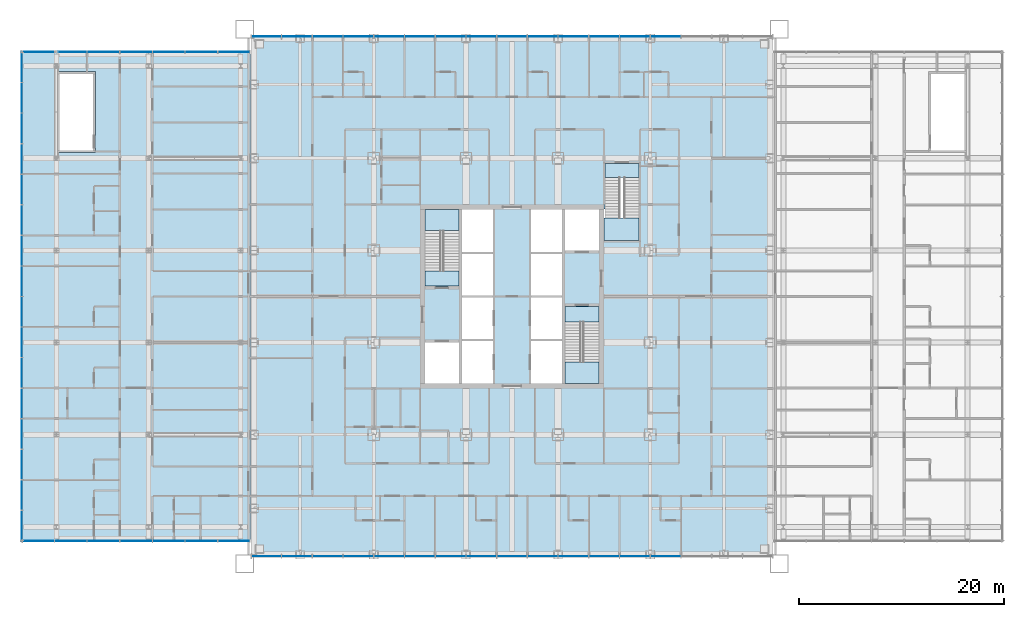
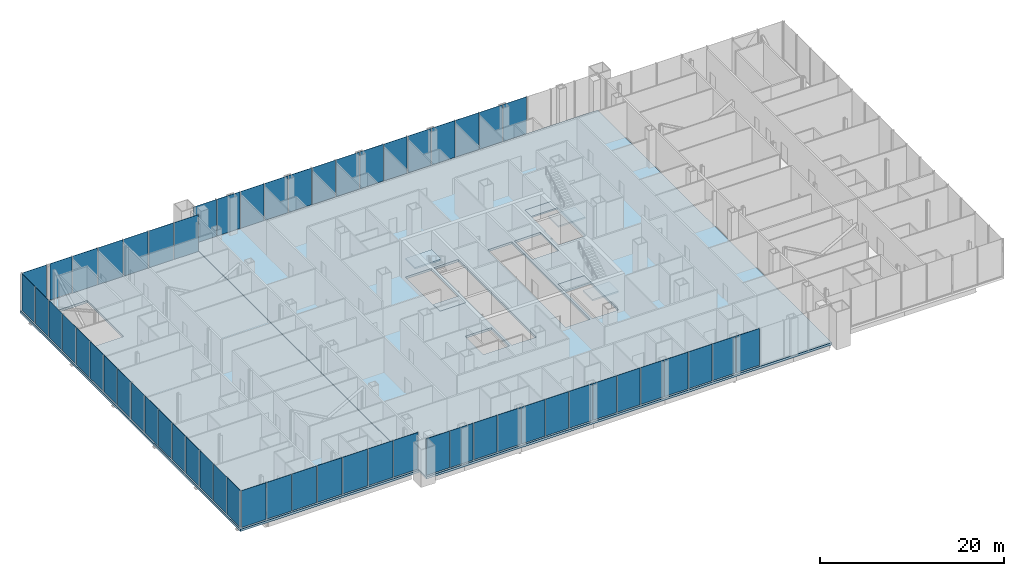
# One storey, part 13 of 28: 58 plates, 8 slabs, 8 elements without a shape of their own.
"""IFC4 building model written with IfcOpenShell, lengths in metres."""

from ifc_helpers import new_model, si_unit, direction, frame, origin, origin_2d, place, context, subcontext, project, spatial, polyline, rectangle, outline, extrude, material, layer, layer_set, type_object, element, aggregate, save


model = new_model("IFC4")

# Units and contexts
model_context = context("Model", 3, precision=1e-05, world=origin(), true_north=direction((0.0, 1.0)))
body_context = subcontext(model_context, "Body", "Model", "MODEL_VIEW")
ifc_project = project(units=[si_unit("LENGTHUNIT", "METRE"), si_unit("AREAUNIT", "SQUARE_METRE"), si_unit("VOLUMEUNIT", "CUBIC_METRE"), si_unit("PLANEANGLEUNIT", "RADIAN"), si_unit("MASSUNIT", "GRAM", prefix="KILO")], contexts=[model_context])

# Site, building, storey
site_placement = place(None, origin())
site = spatial("IfcSite", under=ifc_project, at=site_placement, CompositionType="ELEMENT")
building_placement = place(site_placement, origin())
building = spatial("IfcBuilding", under=site, at=building_placement, Name="Malebo Sky Hospital", CompositionType="ELEMENT")
storey_placement = place(building_placement, frame((0.0, 0.0, 21.0)))
storey = spatial("IfcBuildingStorey", under=building, at=storey_placement, Name="L04", CompositionType="ELEMENT", Elevation=21.0)

# Slabs
ifc_material_1 = material(Name="Concrete C40/50", Category="concrete")
ifc_layer_1 = layer(ifc_material_1, 0.300048828125)
ifc_layer_set_1 = layer_set([ifc_layer_1], Name="COMPOSITE FLOOR SLAB 300")
slab_type_1 = type_object("IfcSlabType", Name="COMPOSITE FLOOR SLAB 300", PredefinedType="FLOOR", material=ifc_layer_set_1)
slab_1_placement = place(storey_placement, frame((0.0, 0.0, -0.300048828125)))
element("IfcSlab", 1, at=slab_1_placement, inside=storey, type_object=slab_type_1, Name="Floor slab L04", PredefinedType="FLOOR", context=body_context, shape_type="SweptSolid", body=[
    extrude(outline(polyline([(34.5, 87.5), (34.5, 36.5), (85.5, 36.5), (85.5, 87.5), (34.5, 87.5)]), holes=[polyline([(55.10009765625, 70.5), (58.14990234375, 70.5), (58.14990234375, 53.5), (55.10009765625, 53.5), (55.10009765625, 70.5)]), polyline([(64.89990234375, 70.5), (64.89990234375, 53.5), (61.85009765625, 53.5), (61.85009765625, 70.5), (64.89990234375, 70.5)]), polyline([(54.800048828125, 63.0), (51.5, 63.0), (51.5, 70.5), (54.800048828125, 70.5), (54.800048828125, 63.0)]), polyline([(51.5, 53.5), (51.5, 57.5), (54.800048828125, 57.5), (54.800048828125, 53.5), (51.5, 53.5)]), polyline([(65.199951171875, 61.0), (68.5, 61.0), (68.5, 53.5), (65.199951171875, 53.5), (65.199951171875, 61.0)]), polyline([(68.5, 70.5), (68.5, 66.5), (65.199951171875, 66.5), (65.199951171875, 70.5), (68.5, 70.5)]), polyline([(69.0, 67.449951171875), (69.0, 70.52001953125), (69.10009765625, 70.52001953125), (69.10009765625, 75.0), (72.39990234375, 75.0), (72.39990234375, 67.449951171875), (69.10009765625, 67.449951171875), (69.0, 67.449951171875)])]), origin(), (0.0, 0.0, 1.0), 0.300048828125),
])
slab_2_placement = place(storey_placement, frame((0.0, 0.0, -0.300048828125)))
element("IfcSlab", 2, at=slab_2_placement, inside=storey, type_object=slab_type_1, Name="Floor slab L04 west wing", PredefinedType="FLOOR", context=body_context, shape_type="SweptSolid", body=[
    extrude(outline(polyline([(34.449951171875, 38.0), (34.449951171875, 86.0), (12.0, 86.0), (12.0, 38.0), (34.449951171875, 38.0)]), holes=[polyline([(19.300048828125, 76.050048828125), (15.60009765625, 76.050048828125), (15.60009765625, 83.949951171875), (19.300048828125, 83.949951171875), (19.300048828125, 76.050048828125)])]), origin(), (0.0, 0.0, 1.0), 0.300048828125),
])

# Stair, slabs
stair_type_1 = type_object("IfcStairType", Name="HALF-TURN STAIR 1500 R167", PredefinedType="HALF_TURN_STAIR", material=ifc_material_1)
stair_1_placement = place(storey_placement, origin())
stair_1 = element("IfcStair", 3, at=stair_1_placement, inside=storey, type_object=stair_type_1, Name="Stair S1 L04 type ST1", PredefinedType="HALF_TURN_STAIR")
ifc_layer_2 = layer(ifc_material_1, 0.199951171875)
ifc_layer_set_2 = layer_set([ifc_layer_2], Name="STAIR LANDING 200")
slab_type_2 = type_object("IfcSlabType", Name="STAIR LANDING 200", PredefinedType="LANDING", material=ifc_layer_set_2)
slab_3_placement = place(storey_placement, frame((0.0, 0.0, -0.199951171875)))
slab_3 = element("IfcSlab", 4, at=slab_3_placement, type_object=slab_type_2, Name="S1 landing 1", PredefinedType="LANDING", context=body_context, shape_type="SweptSolid", body=[
    extrude(outline(polyline([(51.5, 63.0), (54.800048828125, 63.0), (54.800048828125, 64.5), (51.5, 64.5), (51.5, 63.0)])), origin(), (0.0, 0.0, 1.0), 0.199951171875),
])
slab_4_placement = place(storey_placement, frame((0.0, 0.0, 2.300048828125)))
slab_4 = element("IfcSlab", 5, at=slab_4_placement, type_object=slab_type_2, Name="S1 landing 2", PredefinedType="LANDING", context=body_context, shape_type="SweptSolid", body=[
    extrude(outline(polyline([(51.5, 68.419921875), (54.800048828125, 68.419921875), (54.800048828125, 70.5), (51.5, 70.5), (51.5, 68.419921875)])), origin(), (0.0, 0.0, 1.0), 0.199951171875),
])
aggregate(stair_1, [slab_3, slab_4])

stair_2_placement = place(storey_placement, origin())
stair_2 = element("IfcStair", 6, at=stair_2_placement, inside=storey, type_object=stair_type_1, Name="Stair S2 L04 type ST1", PredefinedType="HALF_TURN_STAIR")
slab_5_placement = place(storey_placement, frame((0.0, 0.0, -0.199951171875)))
slab_5 = element("IfcSlab", 7, at=slab_5_placement, type_object=slab_type_2, Name="S2 landing 1", PredefinedType="LANDING", context=body_context, shape_type="SweptSolid", body=[
    extrude(outline(polyline([(65.199951171875, 59.5), (68.5, 59.5), (68.5, 61.0), (65.199951171875, 61.0), (65.199951171875, 59.5)])), origin(), (0.0, 0.0, 1.0), 0.199951171875),
])
slab_6_placement = place(storey_placement, frame((0.0, 0.0, 2.300048828125)))
slab_6 = element("IfcSlab", 8, at=slab_6_placement, type_object=slab_type_2, Name="S2 landing 2", PredefinedType="LANDING", context=body_context, shape_type="SweptSolid", body=[
    extrude(outline(polyline([(65.199951171875, 53.5), (68.5, 53.5), (68.5, 55.580078125), (65.199951171875, 55.580078125), (65.199951171875, 53.5)])), origin(), (0.0, 0.0, 1.0), 0.199951171875),
])
aggregate(stair_2, [slab_5, slab_6])

stair_type_2 = type_object("IfcStairType", Name="HALF-TURN STAIR 1400 R167", PredefinedType="HALF_TURN_STAIR", material=ifc_material_1)
stair_3_placement = place(storey_placement, origin())
stair_3 = element("IfcStair", 9, at=stair_3_placement, inside=storey, type_object=stair_type_2, Name="Stair S3 L04 type ST1B", PredefinedType="HALF_TURN_STAIR")
slab_7_placement = place(storey_placement, frame((0.0, 0.0, -0.199951171875)))
slab_7 = element("IfcSlab", 10, at=slab_7_placement, type_object=slab_type_2, Name="S3 landing 1", PredefinedType="LANDING", context=body_context, shape_type="SweptSolid", body=[
    extrude(outline(polyline([(69.10009765625, 73.60009765625), (72.39990234375, 73.60009765625), (72.39990234375, 75.0), (69.10009765625, 75.0), (69.10009765625, 73.60009765625)])), origin(), (0.0, 0.0, 1.0), 0.199951171875),
])
slab_8_placement = place(storey_placement, frame((0.0, 0.0, 2.300048828125)))
slab_8 = element("IfcSlab", 11, at=slab_8_placement, type_object=slab_type_2, Name="S3 landing 2", PredefinedType="LANDING", context=body_context, shape_type="SweptSolid", body=[
    extrude(outline(polyline([(69.0, 67.449951171875), (72.39990234375, 67.449951171875), (72.39990234375, 69.679931640625), (69.0, 69.679931640625), (69.0, 67.449951171875)])), origin(), (0.0, 0.0, 1.0), 0.199951171875),
])
aggregate(stair_3, [slab_7, slab_8])

# Curtain wall, plates
ifc_material_2 = material(Name="Anodised aluminium, natural silver", Category="aluminium")
ifc_layer_3 = layer(ifc_material_2, 0.25)
ifc_layer_set_3 = layer_set([ifc_layer_3], Name="PODIUM CURTAIN WALL")
curtain_wall_type_1 = type_object("IfcCurtainWallType", Name="PODIUM CURTAIN WALL", PredefinedType="NOTDEFINED", material=ifc_layer_set_3)
curtain_wall_1_placement = place(storey_placement, origin())
curtain_wall_1 = element("IfcCurtainWall", 12, at=curtain_wall_1_placement, inside=storey, type_object=curtain_wall_type_1, Name="POD curtain wall WW", PredefinedType="NOTDEFINED")
ifc_material_3 = material(Name="Clear low-iron double glazing", Category="glass")
ifc_layer_4 = layer(ifc_material_3, 0.031982421875)
ifc_layer_set_4 = layer_set([ifc_layer_4], Name="VISION PANEL CLEAR 32")
plate_type = type_object("IfcPlateType", Name="VISION PANEL CLEAR 32", PredefinedType="CURTAIN_PANEL", material=ifc_layer_set_4)
plate_1_placement = place(storey_placement, frame((12.125, 84.364013671875, 0.10009765625), z_axis=(0.0, 0.0, 1.0), x_axis=(0.0, -1.0, 0.0)))
plate_1 = element("IfcPlate", 13, at=plate_1_placement, type_object=plate_type, Name="Panel 1", PredefinedType="CURTAIN_PANEL", context=body_context, shape_type="SweptSolid", body=[
    extrude(rectangle(XDim=2.871826171875, YDim=0.031982421875, at=origin_2d()), origin(), (0.0, 0.0, 1.0), 4.889892578125),
])
plate_2_placement = place(storey_placement, frame((12.125, 81.3984375, 0.10009765625), z_axis=(0.0, 0.0, 1.0), x_axis=(0.0, -1.0, 0.0)))
plate_2 = element("IfcPlate", 14, at=plate_2_placement, type_object=plate_type, Name="Panel 2", PredefinedType="CURTAIN_PANEL", context=body_context, shape_type="SweptSolid", body=[
    extrude(rectangle(XDim=2.909423828125, YDim=0.031982421875, at=origin_2d()), origin(), (0.0, 0.0, 1.0), 4.889892578125),
])
plate_3_placement = place(storey_placement, frame((12.125, 78.4140625, 0.10009765625), z_axis=(0.0, 0.0, 1.0), x_axis=(0.0, -1.0, 0.0)))
plate_3 = element("IfcPlate", 15, at=plate_3_placement, type_object=plate_type, Name="Panel 3", PredefinedType="CURTAIN_PANEL", context=body_context, shape_type="SweptSolid", body=[
    extrude(rectangle(XDim=2.9091796875, YDim=0.031982421875, at=origin_2d()), origin(), (0.0, 0.0, 1.0), 4.889892578125),
])
plate_4_placement = place(storey_placement, frame((12.125, 75.4296875, 0.10009765625), z_axis=(0.0, 0.0, 1.0), x_axis=(0.0, -1.0, 0.0)))
plate_4 = element("IfcPlate", 16, at=plate_4_placement, type_object=plate_type, Name="Panel 4", PredefinedType="CURTAIN_PANEL", context=body_context, shape_type="SweptSolid", body=[
    extrude(rectangle(XDim=2.909423828125, YDim=0.031982421875, at=origin_2d()), origin(), (0.0, 0.0, 1.0), 4.889892578125),
])
plate_5_placement = place(storey_placement, frame((12.125, 72.4453125, 0.10009765625), z_axis=(0.0, 0.0, 1.0), x_axis=(0.0, -1.0, 0.0)))
plate_5 = element("IfcPlate", 17, at=plate_5_placement, type_object=plate_type, Name="Panel 5", PredefinedType="CURTAIN_PANEL", context=body_context, shape_type="SweptSolid", body=[
    extrude(rectangle(XDim=2.909423828125, YDim=0.031982421875, at=origin_2d()), origin(), (0.0, 0.0, 1.0), 4.889892578125),
])
plate_6_placement = place(storey_placement, frame((12.125, 69.4609375, 0.10009765625), z_axis=(0.0, 0.0, 1.0), x_axis=(0.0, -1.0, 0.0)))
plate_6 = element("IfcPlate", 18, at=plate_6_placement, type_object=plate_type, Name="Panel 6", PredefinedType="CURTAIN_PANEL", context=body_context, shape_type="SweptSolid", body=[
    extrude(rectangle(XDim=2.9091796875, YDim=0.031982421875, at=origin_2d()), origin(), (0.0, 0.0, 1.0), 4.889892578125),
])
plate_7_placement = place(storey_placement, frame((12.125, 66.4765625, 0.10009765625), z_axis=(0.0, 0.0, 1.0), x_axis=(0.0, -1.0, 0.0)))
plate_7 = element("IfcPlate", 19, at=plate_7_placement, type_object=plate_type, Name="Panel 7", PredefinedType="CURTAIN_PANEL", context=body_context, shape_type="SweptSolid", body=[
    extrude(rectangle(XDim=2.909423828125, YDim=0.031982421875, at=origin_2d()), origin(), (0.0, 0.0, 1.0), 4.889892578125),
])
plate_8_placement = place(storey_placement, frame((12.125, 63.4921875, 0.10009765625), z_axis=(0.0, 0.0, 1.0), x_axis=(0.0, -1.0, 0.0)))
plate_8 = element("IfcPlate", 20, at=plate_8_placement, type_object=plate_type, Name="Panel 8", PredefinedType="CURTAIN_PANEL", context=body_context, shape_type="SweptSolid", body=[
    extrude(rectangle(XDim=2.909423828125, YDim=0.031982421875, at=origin_2d()), origin(), (0.0, 0.0, 1.0), 4.889892578125),
])
plate_9_placement = place(storey_placement, frame((12.125, 60.5078125, 0.10009765625), z_axis=(0.0, 0.0, 1.0), x_axis=(0.0, -1.0, 0.0)))
plate_9 = element("IfcPlate", 21, at=plate_9_placement, type_object=plate_type, Name="Panel 9", PredefinedType="CURTAIN_PANEL", context=body_context, shape_type="SweptSolid", body=[
    extrude(rectangle(XDim=2.909423828125, YDim=0.031982421875, at=origin_2d()), origin(), (0.0, 0.0, 1.0), 4.889892578125),
])
plate_10_placement = place(storey_placement, frame((12.125, 57.5234375, 0.10009765625), z_axis=(0.0, 0.0, 1.0), x_axis=(0.0, -1.0, 0.0)))
plate_10 = element("IfcPlate", 22, at=plate_10_placement, type_object=plate_type, Name="Panel 10", PredefinedType="CURTAIN_PANEL", context=body_context, shape_type="SweptSolid", body=[
    extrude(rectangle(XDim=2.909423828125, YDim=0.031982421875, at=origin_2d()), origin(), (0.0, 0.0, 1.0), 4.889892578125),
])
plate_11_placement = place(storey_placement, frame((12.125, 54.5390625, 0.10009765625), z_axis=(0.0, 0.0, 1.0), x_axis=(0.0, -1.0, 0.0)))
plate_11 = element("IfcPlate", 23, at=plate_11_placement, type_object=plate_type, Name="Panel 11", PredefinedType="CURTAIN_PANEL", context=body_context, shape_type="SweptSolid", body=[
    extrude(rectangle(XDim=2.9091796875, YDim=0.031982421875, at=origin_2d()), origin(), (0.0, 0.0, 1.0), 4.889892578125),
])
plate_12_placement = place(storey_placement, frame((12.125, 51.5546875, 0.10009765625), z_axis=(0.0, 0.0, 1.0), x_axis=(0.0, -1.0, 0.0)))
plate_12 = element("IfcPlate", 24, at=plate_12_placement, type_object=plate_type, Name="Panel 12", PredefinedType="CURTAIN_PANEL", context=body_context, shape_type="SweptSolid", body=[
    extrude(rectangle(XDim=2.909423828125, YDim=0.031982421875, at=origin_2d()), origin(), (0.0, 0.0, 1.0), 4.889892578125),
])
plate_13_placement = place(storey_placement, frame((12.125, 48.5703125, 0.10009765625), z_axis=(0.0, 0.0, 1.0), x_axis=(0.0, -1.0, 0.0)))
plate_13 = element("IfcPlate", 25, at=plate_13_placement, type_object=plate_type, Name="Panel 13", PredefinedType="CURTAIN_PANEL", context=body_context, shape_type="SweptSolid", body=[
    extrude(rectangle(XDim=2.909423828125, YDim=0.031982421875, at=origin_2d()), origin(), (0.0, 0.0, 1.0), 4.889892578125),
])
plate_14_placement = place(storey_placement, frame((12.125, 45.5859375, 0.10009765625), z_axis=(0.0, 0.0, 1.0), x_axis=(0.0, -1.0, 0.0)))
plate_14 = element("IfcPlate", 26, at=plate_14_placement, type_object=plate_type, Name="Panel 14", PredefinedType="CURTAIN_PANEL", context=body_context, shape_type="SweptSolid", body=[
    extrude(rectangle(XDim=2.9091796875, YDim=0.031982421875, at=origin_2d()), origin(), (0.0, 0.0, 1.0), 4.889892578125),
])
plate_15_placement = place(storey_placement, frame((12.125, 42.6015625, 0.10009765625), z_axis=(0.0, 0.0, 1.0), x_axis=(0.0, -1.0, 0.0)))
plate_15 = element("IfcPlate", 27, at=plate_15_placement, type_object=plate_type, Name="Panel 15", PredefinedType="CURTAIN_PANEL", context=body_context, shape_type="SweptSolid", body=[
    extrude(rectangle(XDim=2.909423828125, YDim=0.031982421875, at=origin_2d()), origin(), (0.0, 0.0, 1.0), 4.889892578125),
])
plate_16_placement = place(storey_placement, frame((12.125, 39.635986328125, 0.10009765625), z_axis=(0.0, 0.0, 1.0), x_axis=(0.0, -1.0, 0.0)))
plate_16 = element("IfcPlate", 28, at=plate_16_placement, type_object=plate_type, Name="Panel 16", PredefinedType="CURTAIN_PANEL", context=body_context, shape_type="SweptSolid", body=[
    extrude(rectangle(XDim=2.871826171875, YDim=0.031982421875, at=origin_2d()), origin(), (0.0, 0.0, 1.0), 4.889892578125),
])
aggregate(curtain_wall_1, [plate_1, plate_2, plate_3, plate_4, plate_5, plate_6, plate_7, plate_8, plate_9, plate_10, plate_11, plate_12, plate_13, plate_14, plate_15, plate_16])

curtain_wall_2_placement = place(storey_placement, origin())
curtain_wall_2 = element("IfcCurtainWall", 29, at=curtain_wall_2_placement, inside=storey, type_object=curtain_wall_type_1, Name="POD curtain wall WS", PredefinedType="NOTDEFINED")
plate_17_placement = place(storey_placement, frame((13.73828125, 38.125, 0.10009765625), z_axis=(0.0, 0.0, 1.0), x_axis=(1.0, 0.0, 0.0)))
plate_17 = element("IfcPlate", 30, at=plate_17_placement, type_object=plate_type, Name="Panel 1", PredefinedType="CURTAIN_PANEL", context=body_context, shape_type="SweptSolid", body=[
    extrude(rectangle(XDim=3.076904296875, YDim=0.031982421875, at=origin_2d()), origin(), (0.0, 0.0, 1.0), 4.889892578125),
])
plate_18_placement = place(storey_placement, frame((16.908935546875, 38.125, 0.10009765625), z_axis=(0.0, 0.0, 1.0), x_axis=(1.0, 0.0, 0.0)))
plate_18 = element("IfcPlate", 31, at=plate_18_placement, type_object=plate_type, Name="Panel 2", PredefinedType="CURTAIN_PANEL", context=body_context, shape_type="SweptSolid", body=[
    extrude(rectangle(XDim=3.1142578125, YDim=0.031982421875, at=origin_2d()), origin(), (0.0, 0.0, 1.0), 4.889892578125),
])
plate_19_placement = place(storey_placement, frame((20.09814453125, 38.125, 0.10009765625), z_axis=(0.0, 0.0, 1.0), x_axis=(1.0, 0.0, 0.0)))
plate_19 = element("IfcPlate", 32, at=plate_19_placement, type_object=plate_type, Name="Panel 3", PredefinedType="CURTAIN_PANEL", context=body_context, shape_type="SweptSolid", body=[
    extrude(rectangle(XDim=3.1142578125, YDim=0.031982421875, at=origin_2d()), origin(), (0.0, 0.0, 1.0), 4.889892578125),
])
plate_20_placement = place(storey_placement, frame((23.28759765625, 38.125, 0.10009765625), z_axis=(0.0, 0.0, 1.0), x_axis=(1.0, 0.0, 0.0)))
plate_20 = element("IfcPlate", 33, at=plate_20_placement, type_object=plate_type, Name="Panel 4", PredefinedType="CURTAIN_PANEL", context=body_context, shape_type="SweptSolid", body=[
    extrude(rectangle(XDim=3.1142578125, YDim=0.031982421875, at=origin_2d()), origin(), (0.0, 0.0, 1.0), 4.889892578125),
])
plate_21_placement = place(storey_placement, frame((26.476806640625, 38.125, 0.10009765625), z_axis=(0.0, 0.0, 1.0), x_axis=(1.0, 0.0, 0.0)))
plate_21 = element("IfcPlate", 34, at=plate_21_placement, type_object=plate_type, Name="Panel 5", PredefinedType="CURTAIN_PANEL", context=body_context, shape_type="SweptSolid", body=[
    extrude(rectangle(XDim=3.1142578125, YDim=0.031982421875, at=origin_2d()), origin(), (0.0, 0.0, 1.0), 4.889892578125),
])
plate_22_placement = place(storey_placement, frame((29.666015625, 38.125, 0.10009765625), z_axis=(0.0, 0.0, 1.0), x_axis=(1.0, 0.0, 0.0)))
plate_22 = element("IfcPlate", 35, at=plate_22_placement, type_object=plate_type, Name="Panel 6", PredefinedType="CURTAIN_PANEL", context=body_context, shape_type="SweptSolid", body=[
    extrude(rectangle(XDim=3.1142578125, YDim=0.031982421875, at=origin_2d()), origin(), (0.0, 0.0, 1.0), 4.889892578125),
])
plate_23_placement = place(storey_placement, frame((32.836669921875, 38.125, 0.10009765625), z_axis=(0.0, 0.0, 1.0), x_axis=(1.0, 0.0, 0.0)))
plate_23 = element("IfcPlate", 36, at=plate_23_placement, type_object=plate_type, Name="Panel 7", PredefinedType="CURTAIN_PANEL", context=body_context, shape_type="SweptSolid", body=[
    extrude(rectangle(XDim=3.076904296875, YDim=0.031982421875, at=origin_2d()), origin(), (0.0, 0.0, 1.0), 4.889892578125),
])
aggregate(curtain_wall_2, [plate_17, plate_18, plate_19, plate_20, plate_21, plate_22, plate_23])

curtain_wall_3_placement = place(storey_placement, origin())
curtain_wall_3 = element("IfcCurtainWall", 37, at=curtain_wall_3_placement, inside=storey, type_object=curtain_wall_type_1, Name="POD curtain wall WN", PredefinedType="NOTDEFINED")
plate_24_placement = place(storey_placement, frame((32.836669921875, 85.875, 0.10009765625), z_axis=(0.0, 0.0, 1.0), x_axis=(-1.0, 0.0, 0.0)))
plate_24 = element("IfcPlate", 38, at=plate_24_placement, type_object=plate_type, Name="Panel 1", PredefinedType="CURTAIN_PANEL", context=body_context, shape_type="SweptSolid", body=[
    extrude(rectangle(XDim=3.076904296875, YDim=0.031982421875, at=origin_2d()), origin(), (0.0, 0.0, 1.0), 4.889892578125),
])
plate_25_placement = place(storey_placement, frame((29.666015625, 85.875, 0.10009765625), z_axis=(0.0, 0.0, 1.0), x_axis=(-1.0, 0.0, 0.0)))
plate_25 = element("IfcPlate", 39, at=plate_25_placement, type_object=plate_type, Name="Panel 2", PredefinedType="CURTAIN_PANEL", context=body_context, shape_type="SweptSolid", body=[
    extrude(rectangle(XDim=3.1142578125, YDim=0.031982421875, at=origin_2d()), origin(), (0.0, 0.0, 1.0), 4.889892578125),
])
plate_26_placement = place(storey_placement, frame((26.476806640625, 85.875, 0.10009765625), z_axis=(0.0, 0.0, 1.0), x_axis=(-1.0, 0.0, 0.0)))
plate_26 = element("IfcPlate", 40, at=plate_26_placement, type_object=plate_type, Name="Panel 3", PredefinedType="CURTAIN_PANEL", context=body_context, shape_type="SweptSolid", body=[
    extrude(rectangle(XDim=3.1142578125, YDim=0.031982421875, at=origin_2d()), origin(), (0.0, 0.0, 1.0), 4.889892578125),
])
plate_27_placement = place(storey_placement, frame((23.28759765625, 85.875, 0.10009765625), z_axis=(0.0, 0.0, 1.0), x_axis=(-1.0, 0.0, 0.0)))
plate_27 = element("IfcPlate", 41, at=plate_27_placement, type_object=plate_type, Name="Panel 4", PredefinedType="CURTAIN_PANEL", context=body_context, shape_type="SweptSolid", body=[
    extrude(rectangle(XDim=3.1142578125, YDim=0.031982421875, at=origin_2d()), origin(), (0.0, 0.0, 1.0), 4.889892578125),
])
plate_28_placement = place(storey_placement, frame((20.09814453125, 85.875, 0.10009765625), z_axis=(0.0, 0.0, 1.0), x_axis=(-1.0, 0.0, 0.0)))
plate_28 = element("IfcPlate", 42, at=plate_28_placement, type_object=plate_type, Name="Panel 5", PredefinedType="CURTAIN_PANEL", context=body_context, shape_type="SweptSolid", body=[
    extrude(rectangle(XDim=3.1142578125, YDim=0.031982421875, at=origin_2d()), origin(), (0.0, 0.0, 1.0), 4.889892578125),
])
plate_29_placement = place(storey_placement, frame((17.07666015625, 85.875, 0.17041015625), z_axis=(0.0, 0.0, 1.0), x_axis=(-1.0, 0.0, 0.0)))
plate_29 = element("IfcPlate", 43, at=plate_29_placement, type_object=plate_type, Name="Panel 6", PredefinedType="CURTAIN_PANEL", context=body_context, shape_type="SweptSolid", body=[
    extrude(outline(polyline([(-1.389404296875, 0.0), (1.389404296875, 0.0), (1.389404296875, 4.819580078125), (-1.389404296875, 4.819580078125), (-1.389404296875, 0.0)])), frame((0.0, 0.01611328125, 0.0), z_axis=(0.0, -1.0, 0.0), x_axis=(1.0, 0.0, 0.0)), (0.0, 0.0, 1.0), 0.031982421875),
])
plate_30_placement = place(storey_placement, frame((13.73828125, 85.875, 0.10009765625), z_axis=(0.0, 0.0, 1.0), x_axis=(-1.0, 0.0, 0.0)))
plate_30 = element("IfcPlate", 44, at=plate_30_placement, type_object=plate_type, Name="Panel 7", PredefinedType="CURTAIN_PANEL", context=body_context, shape_type="SweptSolid", body=[
    extrude(rectangle(XDim=3.076904296875, YDim=0.031982421875, at=origin_2d()), origin(), (0.0, 0.0, 1.0), 4.889892578125),
])
aggregate(curtain_wall_3, [plate_24, plate_25, plate_26, plate_27, plate_28, plate_29, plate_30])

ifc_layer_5 = layer(ifc_material_2, 0.25)
ifc_layer_set_5 = layer_set([ifc_layer_5], Name="PODIUM ENTRANCE BAY CURTAIN WALL")
curtain_wall_type_2 = type_object("IfcCurtainWallType", Name="PODIUM ENTRANCE BAY CURTAIN WALL", PredefinedType="NOTDEFINED", material=ifc_layer_set_5)
curtain_wall_4_placement = place(storey_placement, origin())
curtain_wall_4 = element("IfcCurtainWall", 45, at=curtain_wall_4_placement, inside=storey, type_object=curtain_wall_type_2, Name="BAY curtain wall BS", PredefinedType="NOTDEFINED")
plate_31_placement = place(storey_placement, frame((36.018798828125, 36.625, 0.10009765625), z_axis=(0.0, 0.0, 1.0), x_axis=(1.0, 0.0, 0.0)))
plate_31 = element("IfcPlate", 46, at=plate_31_placement, type_object=plate_type, Name="Panel 1", PredefinedType="CURTAIN_PANEL", context=body_context, shape_type="SweptSolid", body=[
    extrude(rectangle(XDim=2.887451171875, YDim=0.031982421875, at=origin_2d()), origin(), (0.0, 0.0, 1.0), 4.889892578125),
])
plate_32_placement = place(storey_placement, frame((39.0, 36.625, 0.10009765625), z_axis=(0.0, 0.0, 1.0), x_axis=(1.0, 0.0, 0.0)))
plate_32 = element("IfcPlate", 47, at=plate_32_placement, type_object=plate_type, Name="Panel 2", PredefinedType="CURTAIN_PANEL", context=body_context, shape_type="SweptSolid", body=[
    extrude(rectangle(XDim=2.925048828125, YDim=0.031982421875, at=origin_2d()), origin(), (0.0, 0.0, 1.0), 4.889892578125),
])
plate_33_placement = place(storey_placement, frame((42.0, 36.625, 0.10009765625), z_axis=(0.0, 0.0, 1.0), x_axis=(1.0, 0.0, 0.0)))
plate_33 = element("IfcPlate", 48, at=plate_33_placement, type_object=plate_type, Name="Panel 3", PredefinedType="CURTAIN_PANEL", context=body_context, shape_type="SweptSolid", body=[
    extrude(rectangle(XDim=2.925048828125, YDim=0.031982421875, at=origin_2d()), origin(), (0.0, 0.0, 1.0), 4.889892578125),
])
plate_34_placement = place(storey_placement, frame((45.0, 36.625, 0.10009765625), z_axis=(0.0, 0.0, 1.0), x_axis=(1.0, 0.0, 0.0)))
plate_34 = element("IfcPlate", 49, at=plate_34_placement, type_object=plate_type, Name="Panel 4", PredefinedType="CURTAIN_PANEL", context=body_context, shape_type="SweptSolid", body=[
    extrude(rectangle(XDim=2.925048828125, YDim=0.031982421875, at=origin_2d()), origin(), (0.0, 0.0, 1.0), 4.889892578125),
])
plate_35_placement = place(storey_placement, frame((48.0, 36.625, 0.10009765625), z_axis=(0.0, 0.0, 1.0), x_axis=(1.0, 0.0, 0.0)))
plate_35 = element("IfcPlate", 50, at=plate_35_placement, type_object=plate_type, Name="Panel 5", PredefinedType="CURTAIN_PANEL", context=body_context, shape_type="SweptSolid", body=[
    extrude(rectangle(XDim=2.925048828125, YDim=0.031982421875, at=origin_2d()), origin(), (0.0, 0.0, 1.0), 4.889892578125),
])
plate_36_placement = place(storey_placement, frame((51.0, 36.625, 0.10009765625), z_axis=(0.0, 0.0, 1.0), x_axis=(1.0, 0.0, 0.0)))
plate_36 = element("IfcPlate", 51, at=plate_36_placement, type_object=plate_type, Name="Panel 6", PredefinedType="CURTAIN_PANEL", context=body_context, shape_type="SweptSolid", body=[
    extrude(rectangle(XDim=2.925048828125, YDim=0.031982421875, at=origin_2d()), origin(), (0.0, 0.0, 1.0), 4.889892578125),
])
plate_37_placement = place(storey_placement, frame((54.0, 36.625, 0.10009765625), z_axis=(0.0, 0.0, 1.0), x_axis=(1.0, 0.0, 0.0)))
plate_37 = element("IfcPlate", 52, at=plate_37_placement, type_object=plate_type, Name="Panel 7", PredefinedType="CURTAIN_PANEL", context=body_context, shape_type="SweptSolid", body=[
    extrude(rectangle(XDim=2.925048828125, YDim=0.031982421875, at=origin_2d()), origin(), (0.0, 0.0, 1.0), 4.889892578125),
])
plate_38_placement = place(storey_placement, frame((57.0, 36.625, 0.10009765625), z_axis=(0.0, 0.0, 1.0), x_axis=(1.0, 0.0, 0.0)))
plate_38 = element("IfcPlate", 53, at=plate_38_placement, type_object=plate_type, Name="Panel 8", PredefinedType="CURTAIN_PANEL", context=body_context, shape_type="SweptSolid", body=[
    extrude(rectangle(XDim=2.925048828125, YDim=0.031982421875, at=origin_2d()), origin(), (0.0, 0.0, 1.0), 4.889892578125),
])
plate_39_placement = place(storey_placement, frame((60.0, 36.625, 0.10009765625), z_axis=(0.0, 0.0, 1.0), x_axis=(1.0, 0.0, 0.0)))
plate_39 = element("IfcPlate", 54, at=plate_39_placement, type_object=plate_type, Name="Panel 9", PredefinedType="CURTAIN_PANEL", context=body_context, shape_type="SweptSolid", body=[
    extrude(rectangle(XDim=2.925048828125, YDim=0.031982421875, at=origin_2d()), origin(), (0.0, 0.0, 1.0), 4.889892578125),
])
plate_40_placement = place(storey_placement, frame((63.0, 36.625, 0.10009765625), z_axis=(0.0, 0.0, 1.0), x_axis=(1.0, 0.0, 0.0)))
plate_40 = element("IfcPlate", 55, at=plate_40_placement, type_object=plate_type, Name="Panel 10", PredefinedType="CURTAIN_PANEL", context=body_context, shape_type="SweptSolid", body=[
    extrude(rectangle(XDim=2.925048828125, YDim=0.031982421875, at=origin_2d()), origin(), (0.0, 0.0, 1.0), 4.889892578125),
])
plate_41_placement = place(storey_placement, frame((66.0, 36.625, 0.10009765625), z_axis=(0.0, 0.0, 1.0), x_axis=(1.0, 0.0, 0.0)))
plate_41 = element("IfcPlate", 56, at=plate_41_placement, type_object=plate_type, Name="Panel 11", PredefinedType="CURTAIN_PANEL", context=body_context, shape_type="SweptSolid", body=[
    extrude(rectangle(XDim=2.925048828125, YDim=0.031982421875, at=origin_2d()), origin(), (0.0, 0.0, 1.0), 4.889892578125),
])
plate_42_placement = place(storey_placement, frame((69.0, 36.625, 0.10009765625), z_axis=(0.0, 0.0, 1.0), x_axis=(1.0, 0.0, 0.0)))
plate_42 = element("IfcPlate", 57, at=plate_42_placement, type_object=plate_type, Name="Panel 12", PredefinedType="CURTAIN_PANEL", context=body_context, shape_type="SweptSolid", body=[
    extrude(rectangle(XDim=2.925048828125, YDim=0.031982421875, at=origin_2d()), origin(), (0.0, 0.0, 1.0), 4.889892578125),
])
plate_43_placement = place(storey_placement, frame((72.0, 36.625, 0.10009765625), z_axis=(0.0, 0.0, 1.0), x_axis=(1.0, 0.0, 0.0)))
plate_43 = element("IfcPlate", 58, at=plate_43_placement, type_object=plate_type, Name="Panel 13", PredefinedType="CURTAIN_PANEL", context=body_context, shape_type="SweptSolid", body=[
    extrude(rectangle(XDim=2.925048828125, YDim=0.031982421875, at=origin_2d()), origin(), (0.0, 0.0, 1.0), 4.889892578125),
])
plate_44_placement = place(storey_placement, frame((75.0, 36.625, 0.10009765625), z_axis=(0.0, 0.0, 1.0), x_axis=(1.0, 0.0, 0.0)))
plate_44 = element("IfcPlate", 59, at=plate_44_placement, type_object=plate_type, Name="Panel 14", PredefinedType="CURTAIN_PANEL", context=body_context, shape_type="SweptSolid", body=[
    extrude(rectangle(XDim=2.925048828125, YDim=0.031982421875, at=origin_2d()), origin(), (0.0, 0.0, 1.0), 4.889892578125),
])
aggregate(curtain_wall_4, [plate_31, plate_32, plate_33, plate_34, plate_35, plate_36, plate_37, plate_38, plate_39, plate_40, plate_41, plate_42, plate_43, plate_44])

curtain_wall_5_placement = place(storey_placement, origin())
curtain_wall_5 = element("IfcCurtainWall", 60, at=curtain_wall_5_placement, inside=storey, type_object=curtain_wall_type_2, Name="BAY curtain wall BN", PredefinedType="NOTDEFINED")
plate_45_placement = place(storey_placement, frame((75.0, 87.375, 0.10009765625), z_axis=(0.0, 0.0, 1.0), x_axis=(-1.0, 0.0, 0.0)))
plate_45 = element("IfcPlate", 61, at=plate_45_placement, type_object=plate_type, Name="Panel 4", PredefinedType="CURTAIN_PANEL", context=body_context, shape_type="SweptSolid", body=[
    extrude(rectangle(XDim=2.925048828125, YDim=0.031982421875, at=origin_2d()), origin(), (0.0, 0.0, 1.0), 4.889892578125),
])
plate_46_placement = place(storey_placement, frame((72.0, 87.375, 0.10009765625), z_axis=(0.0, 0.0, 1.0), x_axis=(-1.0, 0.0, 0.0)))
plate_46 = element("IfcPlate", 62, at=plate_46_placement, type_object=plate_type, Name="Panel 5", PredefinedType="CURTAIN_PANEL", context=body_context, shape_type="SweptSolid", body=[
    extrude(rectangle(XDim=2.925048828125, YDim=0.031982421875, at=origin_2d()), origin(), (0.0, 0.0, 1.0), 4.889892578125),
])
plate_47_placement = place(storey_placement, frame((69.0, 87.375, 0.10009765625), z_axis=(0.0, 0.0, 1.0), x_axis=(-1.0, 0.0, 0.0)))
plate_47 = element("IfcPlate", 63, at=plate_47_placement, type_object=plate_type, Name="Panel 6", PredefinedType="CURTAIN_PANEL", context=body_context, shape_type="SweptSolid", body=[
    extrude(rectangle(XDim=2.925048828125, YDim=0.031982421875, at=origin_2d()), origin(), (0.0, 0.0, 1.0), 4.889892578125),
])
plate_48_placement = place(storey_placement, frame((66.0, 87.375, 0.10009765625), z_axis=(0.0, 0.0, 1.0), x_axis=(-1.0, 0.0, 0.0)))
plate_48 = element("IfcPlate", 64, at=plate_48_placement, type_object=plate_type, Name="Panel 7", PredefinedType="CURTAIN_PANEL", context=body_context, shape_type="SweptSolid", body=[
    extrude(rectangle(XDim=2.925048828125, YDim=0.031982421875, at=origin_2d()), origin(), (0.0, 0.0, 1.0), 4.889892578125),
])
plate_49_placement = place(storey_placement, frame((63.0, 87.375, 0.10009765625), z_axis=(0.0, 0.0, 1.0), x_axis=(-1.0, 0.0, 0.0)))
plate_49 = element("IfcPlate", 65, at=plate_49_placement, type_object=plate_type, Name="Panel 8", PredefinedType="CURTAIN_PANEL", context=body_context, shape_type="SweptSolid", body=[
    extrude(rectangle(XDim=2.925048828125, YDim=0.031982421875, at=origin_2d()), origin(), (0.0, 0.0, 1.0), 4.889892578125),
])
plate_50_placement = place(storey_placement, frame((60.0, 87.375, 0.10009765625), z_axis=(0.0, 0.0, 1.0), x_axis=(-1.0, 0.0, 0.0)))
plate_50 = element("IfcPlate", 66, at=plate_50_placement, type_object=plate_type, Name="Panel 9", PredefinedType="CURTAIN_PANEL", context=body_context, shape_type="SweptSolid", body=[
    extrude(rectangle(XDim=2.925048828125, YDim=0.031982421875, at=origin_2d()), origin(), (0.0, 0.0, 1.0), 4.889892578125),
])
plate_51_placement = place(storey_placement, frame((57.0, 87.375, 0.10009765625), z_axis=(0.0, 0.0, 1.0), x_axis=(-1.0, 0.0, 0.0)))
plate_51 = element("IfcPlate", 67, at=plate_51_placement, type_object=plate_type, Name="Panel 10", PredefinedType="CURTAIN_PANEL", context=body_context, shape_type="SweptSolid", body=[
    extrude(rectangle(XDim=2.925048828125, YDim=0.031982421875, at=origin_2d()), origin(), (0.0, 0.0, 1.0), 4.889892578125),
])
plate_52_placement = place(storey_placement, frame((54.0, 87.375, 0.10009765625), z_axis=(0.0, 0.0, 1.0), x_axis=(-1.0, 0.0, 0.0)))
plate_52 = element("IfcPlate", 68, at=plate_52_placement, type_object=plate_type, Name="Panel 11", PredefinedType="CURTAIN_PANEL", context=body_context, shape_type="SweptSolid", body=[
    extrude(rectangle(XDim=2.925048828125, YDim=0.031982421875, at=origin_2d()), origin(), (0.0, 0.0, 1.0), 4.889892578125),
])
plate_53_placement = place(storey_placement, frame((51.0, 87.375, 0.10009765625), z_axis=(0.0, 0.0, 1.0), x_axis=(-1.0, 0.0, 0.0)))
plate_53 = element("IfcPlate", 69, at=plate_53_placement, type_object=plate_type, Name="Panel 12", PredefinedType="CURTAIN_PANEL", context=body_context, shape_type="SweptSolid", body=[
    extrude(rectangle(XDim=2.925048828125, YDim=0.031982421875, at=origin_2d()), origin(), (0.0, 0.0, 1.0), 4.889892578125),
])
plate_54_placement = place(storey_placement, frame((48.0, 87.375, 0.10009765625), z_axis=(0.0, 0.0, 1.0), x_axis=(-1.0, 0.0, 0.0)))
plate_54 = element("IfcPlate", 70, at=plate_54_placement, type_object=plate_type, Name="Panel 13", PredefinedType="CURTAIN_PANEL", context=body_context, shape_type="SweptSolid", body=[
    extrude(rectangle(XDim=2.925048828125, YDim=0.031982421875, at=origin_2d()), origin(), (0.0, 0.0, 1.0), 4.889892578125),
])
plate_55_placement = place(storey_placement, frame((45.0, 87.375, 0.10009765625), z_axis=(0.0, 0.0, 1.0), x_axis=(-1.0, 0.0, 0.0)))
plate_55 = element("IfcPlate", 71, at=plate_55_placement, type_object=plate_type, Name="Panel 14", PredefinedType="CURTAIN_PANEL", context=body_context, shape_type="SweptSolid", body=[
    extrude(rectangle(XDim=2.925048828125, YDim=0.031982421875, at=origin_2d()), origin(), (0.0, 0.0, 1.0), 4.889892578125),
])
plate_56_placement = place(storey_placement, frame((42.0, 87.375, 0.10009765625), z_axis=(0.0, 0.0, 1.0), x_axis=(-1.0, 0.0, 0.0)))
plate_56 = element("IfcPlate", 72, at=plate_56_placement, type_object=plate_type, Name="Panel 15", PredefinedType="CURTAIN_PANEL", context=body_context, shape_type="SweptSolid", body=[
    extrude(rectangle(XDim=2.925048828125, YDim=0.031982421875, at=origin_2d()), origin(), (0.0, 0.0, 1.0), 4.889892578125),
])
plate_57_placement = place(storey_placement, frame((39.0, 87.375, 0.10009765625), z_axis=(0.0, 0.0, 1.0), x_axis=(-1.0, 0.0, 0.0)))
plate_57 = element("IfcPlate", 73, at=plate_57_placement, type_object=plate_type, Name="Panel 16", PredefinedType="CURTAIN_PANEL", context=body_context, shape_type="SweptSolid", body=[
    extrude(rectangle(XDim=2.925048828125, YDim=0.031982421875, at=origin_2d()), origin(), (0.0, 0.0, 1.0), 4.889892578125),
])
plate_58_placement = place(storey_placement, frame((36.018798828125, 87.375, 0.10009765625), z_axis=(0.0, 0.0, 1.0), x_axis=(-1.0, 0.0, 0.0)))
plate_58 = element("IfcPlate", 74, at=plate_58_placement, type_object=plate_type, Name="Panel 17", PredefinedType="CURTAIN_PANEL", context=body_context, shape_type="SweptSolid", body=[
    extrude(rectangle(XDim=2.887451171875, YDim=0.031982421875, at=origin_2d()), origin(), (0.0, 0.0, 1.0), 4.889892578125),
])
aggregate(curtain_wall_5, [plate_45, plate_46, plate_47, plate_48, plate_49, plate_50, plate_51, plate_52, plate_53, plate_54, plate_55, plate_56, plate_57, plate_58])

save(model, "model.ifc")
